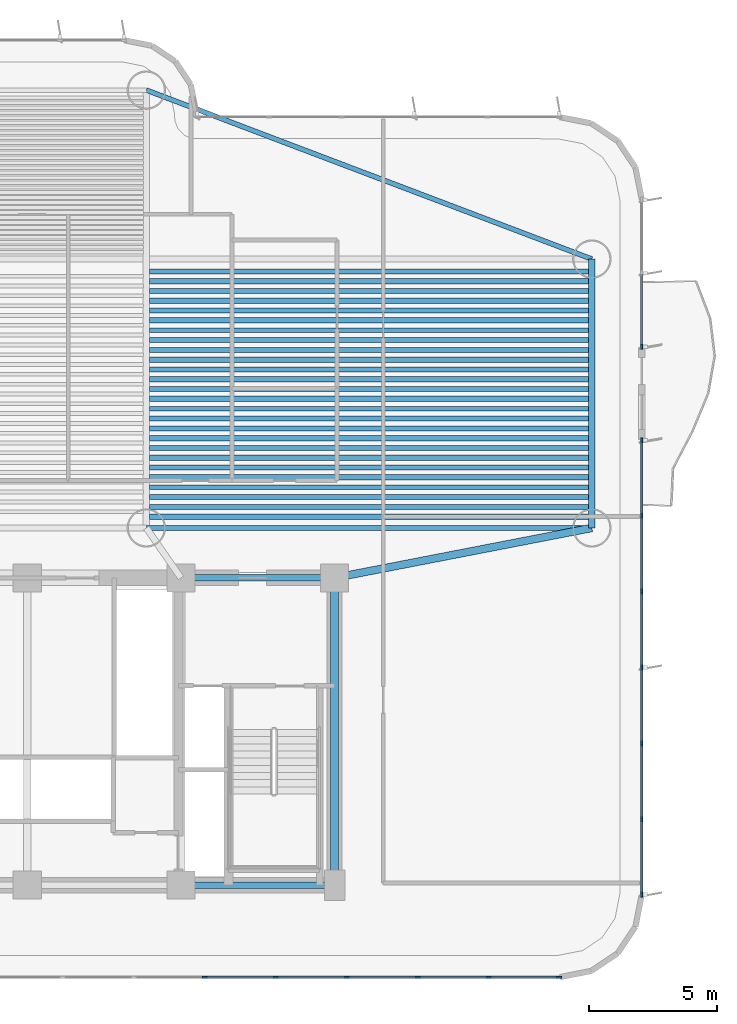
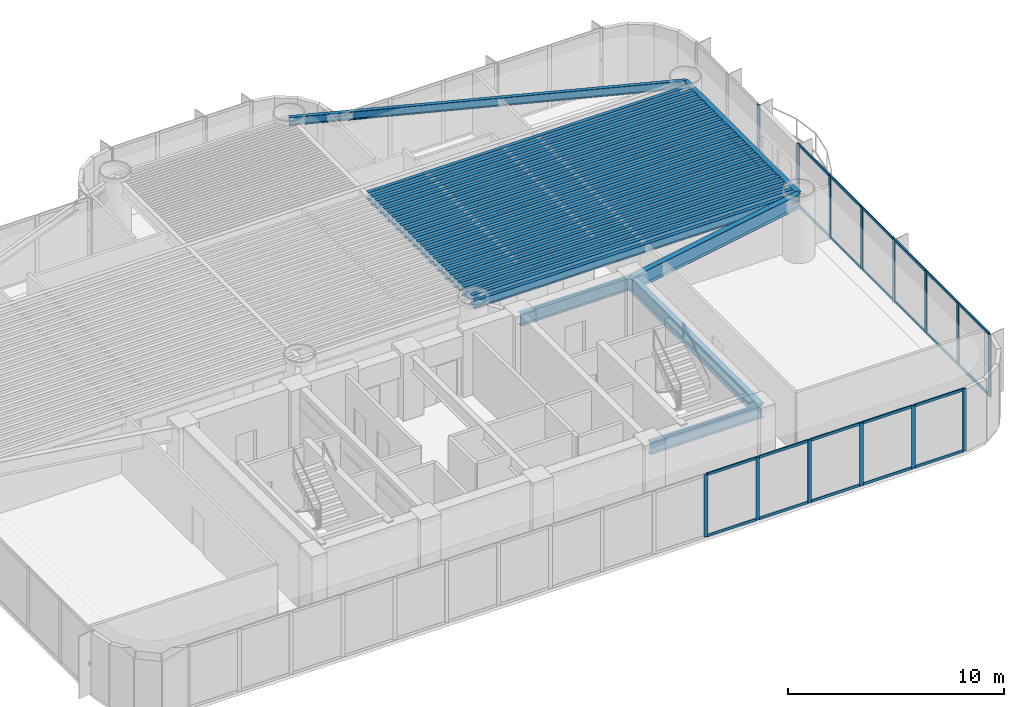
# One storey, part 5 of 16: 37 members, 33 beams, 3 elements without a shape of their own.
"""IFC4 building model written with IfcOpenShell, lengths in metres."""

from ifc_helpers import new_model, si_unit, direction, frame, origin, origin_2d, place, context, subcontext, project, spatial, rectangle, i_section, extrude, source, transform, mapped, material, layer, layer_set, material_profile, profile_set, type_object, element, aggregate, save


model = new_model("IFC4")

# Units and contexts
model_context = context("Model", 3, precision=1e-05, world=origin(), true_north=direction((0.0, 1.0)))
body_context = subcontext(model_context, "Body", "Model", "MODEL_VIEW")
ifc_project = project(units=[si_unit("LENGTHUNIT", "METRE"), si_unit("AREAUNIT", "SQUARE_METRE"), si_unit("VOLUMEUNIT", "CUBIC_METRE"), si_unit("PLANEANGLEUNIT", "RADIAN"), si_unit("MASSUNIT", "GRAM", prefix="KILO")], contexts=[model_context])

# Site, building, storey
site_placement = place(None, origin())
site = spatial("IfcSite", under=ifc_project, at=site_placement, CompositionType="ELEMENT")
building_placement = place(site_placement, origin())
building = spatial("IfcBuilding", under=site, at=building_placement, Name="Brelvock Crest Care Tower", CompositionType="ELEMENT")
storey_placement = place(building_placement, frame((0.0, 0.0, 57.239990234375)))
storey = spatial("IfcBuildingStorey", under=building, at=storey_placement, Name="L14", CompositionType="ELEMENT", Elevation=57.239990234375)

# Beams
ifc_material_1 = material(Name="Steel Grade 350", Category="steel")
ifc_material_profile_1 = material_profile(ifc_material_1, i_section(OverallWidth=0.25, OverallDepth=0.699951171875, WebThickness=0.011962890625, FlangeThickness=0.02001953125, at=origin_2d()), Name="700WB150")
ifc_profile_set_1 = profile_set([ifc_material_profile_1], Name="Steel Grade 350")
beam_type_1 = type_object("IfcBeamType", Name="BM-G4", PredefinedType="BEAM", material=ifc_profile_set_1)
shared_shape_1 = source(origin(), body_context, "Body", "SweptSolid", [
    extrude(i_section(OverallWidth=0.25, OverallDepth=0.699951171875, WebThickness=0.011962890625, FlangeThickness=0.02001953125, at=origin_2d()), origin(), (0.0, 0.0, 1.0), 6.0),
])
for number, where, z_axis, x_axis, name in (
    (1, (42.0, 6.0, 3.179931640625), (1.0, 0.0, 0.0), (0.0, 1.0, 0.0), "BM-CORES-L14-4"),
    (2, (42.0, 18.0, 3.179931640625), (1.0, 0.0, 0.0), (0.0, 1.0, 0.0), "BM-COREN-L14-4"),
):
    element("IfcBeam", number, at=place(storey_placement, frame(where, z_axis=z_axis, x_axis=x_axis)), inside=storey, type_object=beam_type_1, Name=name, PredefinedType="BEAM", context=body_context, shape_type="MappedRepresentation", body=[
        mapped(shared_shape_1, transform((0.0, 0.0, 0.0), x_axis=(1.0, 0.0, 0.0), y_axis=(0.0, 1.0, 0.0), z_axis=(0.0, 0.0, 1.0), scale=1.0)),
    ])
ifc_material_profile_2 = material_profile(ifc_material_1, i_section(OverallWidth=0.300048828125, OverallDepth=0.800048828125, WebThickness=0.013916015625, FlangeThickness=0.02197265625, at=origin_2d()), Name="800WB192")
ifc_profile_set_2 = profile_set([ifc_material_profile_2], Name="Steel Grade 350")
beam_type_2 = type_object("IfcBeamType", Name="BM-G5", PredefinedType="BEAM", material=ifc_profile_set_2)
shared_shape_2 = source(origin(), body_context, "Body", "SweptSolid", [
    extrude(i_section(OverallWidth=0.300048828125, OverallDepth=0.800048828125, WebThickness=0.013916015625, FlangeThickness=0.02197265625, at=origin_2d()), origin(), (0.0, 0.0, 1.0), 12.0),
])
beam_1_placement = place(storey_placement, frame((48.0, 6.0, 3.130126953125), z_axis=(0.0, 1.0, 0.0), x_axis=(-1.0, 0.0, 0.0)))
element("IfcBeam", 3, at=beam_1_placement, inside=storey, type_object=beam_type_2, Name="BM-COREX-L14-5", PredefinedType="BEAM", context=body_context, shape_type="MappedRepresentation", body=[
    mapped(shared_shape_2, transform((0.0, 0.0, 0.0), x_axis=(1.0, 0.0, 0.0), y_axis=(0.0, 1.0, 0.0), z_axis=(0.0, 0.0, 1.0), scale=1.0)),
])
shared_shape_3 = source(origin(), body_context, "Body", "SweptSolid", [
    extrude(i_section(OverallWidth=0.25, OverallDepth=0.699951171875, WebThickness=0.011962890625, FlangeThickness=0.02001953125, at=origin_2d()), origin(), (0.0, 0.0, 1.0), 10.5),
])
beam_2_placement = place(storey_placement, frame((58.050048828125, 19.949951171875, 3.179931640625), z_axis=(0.0, 1.0, 0.0), x_axis=(-1.0, 0.0, 0.0)))
element("IfcBeam", 4, at=beam_2_placement, inside=storey, type_object=beam_type_1, Name="BM-TWR-L14-02", PredefinedType="BEAM", context=body_context, shape_type="MappedRepresentation", body=[
    mapped(shared_shape_3, transform((0.0, 0.0, 0.0), x_axis=(1.0, 0.0, 0.0), y_axis=(0.0, 1.0, 0.0), z_axis=(0.0, 0.0, 1.0), scale=1.0)),
])
ifc_material_profile_3 = material_profile(ifc_material_1, i_section(OverallWidth=0.19091796875, OverallDepth=0.4599609375, WebThickness=0.010009765625, FlangeThickness=0.01611328125, FilletRadius=0.011474609375, at=origin_2d()), Name="460UB82.1")
ifc_profile_set_3 = profile_set([ifc_material_profile_3], Name="Steel Grade 350")
beam_type_3 = type_object("IfcBeamType", Name="BM-SP2", PredefinedType="SPANDREL", material=ifc_profile_set_3)
shared_shape_4 = source(origin(), body_context, "Body", "SweptSolid", [
    extrude(i_section(OverallWidth=0.19091796875, OverallDepth=0.4599609375, WebThickness=0.010009765625, FlangeThickness=0.01611328125, FilletRadius=0.011474609375, at=origin_2d()), origin(), (0.0, 0.0, 1.0), 17.400146484375),
])
beam_3_placement = place(storey_placement, frame((40.64990234375, 19.949951171875, 3.300048828125), z_axis=(1.0, 0.0, 0.0), x_axis=(0.0, 1.0, 0.0)))
element("IfcBeam", 5, at=beam_3_placement, inside=storey, type_object=beam_type_3, Name="BM-TWR-L14-04", PredefinedType="SPANDREL", context=body_context, shape_type="MappedRepresentation", body=[
    mapped(shared_shape_4, transform((0.0, 0.0, 0.0), x_axis=(1.0, 0.0, 0.0), y_axis=(0.0, 1.0, 0.0), z_axis=(0.0, 0.0, 1.0), scale=1.0)),
])
shared_shape_5 = source(origin(), body_context, "Body", "SweptSolid", [
    extrude(i_section(OverallWidth=0.19091796875, OverallDepth=0.4599609375, WebThickness=0.010009765625, FlangeThickness=0.01611328125, FilletRadius=0.011474609375, at=origin_2d()), origin(), (0.0, 0.0, 1.0), 18.60986328125),
])
beam_4_placement = place(storey_placement, frame((40.64990234375, 37.050048828125, 3.300048828125), z_axis=(0.934996776275, -0.3546562115, 0.0), x_axis=(0.3546562115, 0.934996776275, 0.0)))
element("IfcBeam", 6, at=beam_4_placement, inside=storey, type_object=beam_type_3, Name="BM-TWR-L14-07", PredefinedType="SPANDREL", context=body_context, shape_type="MappedRepresentation", body=[
    mapped(shared_shape_5, transform((0.0, 0.0, 0.0), x_axis=(1.0, 0.0, 0.0), y_axis=(0.0, 1.0, 0.0), z_axis=(0.0, 0.0, 1.0), scale=1.0)),
])
shared_shape_6 = source(origin(), body_context, "Body", "SweptSolid", [
    extrude(i_section(OverallWidth=0.300048828125, OverallDepth=0.800048828125, WebThickness=0.013916015625, FlangeThickness=0.02197265625, at=origin_2d()), origin(), (0.0, 0.0, 1.0), 10.237548828125),
])
beam_5_placement = place(storey_placement, frame((48.0, 18.0, 3.130126953125), z_axis=(0.981692632568, 0.190471979991, 0.0), x_axis=(-0.190471979991, 0.981692632568, 0.0)))
element("IfcBeam", 7, at=beam_5_placement, inside=storey, type_object=beam_type_2, Name="BM-THRO-E-L14", PredefinedType="BEAM", context=body_context, shape_type="MappedRepresentation", body=[
    mapped(shared_shape_6, transform((0.0, 0.0, 0.0), x_axis=(1.0, 0.0, 0.0), y_axis=(0.0, 1.0, 0.0), z_axis=(0.0, 0.0, 1.0), scale=1.0)),
])
ifc_material_profile_4 = material_profile(ifc_material_1, i_section(OverallWidth=0.208984375, OverallDepth=0.532958984375, WebThickness=0.01025390625, FlangeThickness=0.015625, FilletRadius=0.013916015625, at=origin_2d()), Name="530UB92.4")
ifc_profile_set_4 = profile_set([ifc_material_profile_4], Name="Steel Grade 350")
beam_type_4 = type_object("IfcBeamType", Name="BM-G2", PredefinedType="BEAM", material=ifc_profile_set_4)
shared_shape_7 = source(origin(), body_context, "Body", "SweptSolid", [
    extrude(i_section(OverallWidth=0.208984375, OverallDepth=0.532958984375, WebThickness=0.01025390625, FlangeThickness=0.015625, FilletRadius=0.013916015625, at=origin_2d()), origin(), (0.0, 0.0, 1.0), 17.170166015625),
])
for number, where, z_axis, x_axis, name in (
    (8, (40.764892578125, 20.39111328125, 3.263427734375), (1.0, 0.0, 0.0), (0.0, 1.0, 0.0), "BM-JE-L14-1"),
    (9, (40.764892578125, 21.157470703125, 3.263427734375), (1.0, 0.0, 0.0), (0.0, 1.0, 0.0), "BM-JE-L14-3"),
    (10, (40.764892578125, 21.924072265625, 3.263427734375), (1.0, 0.0, 0.0), (0.0, 1.0, 0.0), "BM-JE-L14-5"),
    (11, (40.764892578125, 22.6904296875, 3.263427734375), (1.0, 0.0, 0.0), (0.0, 1.0, 0.0), "BM-JE-L14-7"),
    (12, (40.764892578125, 23.45703125, 3.263427734375), (1.0, 0.0, 0.0), (0.0, 1.0, 0.0), "BM-JE-L14-9"),
    (13, (40.764892578125, 24.223388671875, 3.263427734375), (1.0, 0.0, 0.0), (0.0, 1.0, 0.0), "BM-JE-L14-11"),
    (14, (40.764892578125, 24.989990234375, 3.263427734375), (1.0, 0.0, 0.0), (0.0, 1.0, 0.0), "BM-JE-L14-13"),
    (15, (40.764892578125, 25.756591796875, 3.263427734375), (1.0, 0.0, 0.0), (0.0, 1.0, 0.0), "BM-JE-L14-15"),
    (16, (40.764892578125, 26.52294921875, 3.263427734375), (1.0, 0.0, 0.0), (0.0, 1.0, 0.0), "BM-JE-L14-17"),
    (17, (40.764892578125, 27.28955078125, 3.263427734375), (1.0, 0.0, 0.0), (0.0, 1.0, 0.0), "BM-JE-L14-19"),
    (18, (40.764892578125, 28.055908203125, 3.263427734375), (1.0, 0.0, 0.0), (0.0, 1.0, 0.0), "BM-JE-L14-21"),
    (19, (40.764892578125, 28.822509765625, 3.263427734375), (1.0, 0.0, 0.0), (0.0, 1.0, 0.0), "BM-JE-L14-23"),
    (20, (40.764892578125, 29.589111328125, 3.263427734375), (1.0, 0.0, 0.0), (0.0, 1.0, 0.0), "BM-JE-L14-25"),
):
    element("IfcBeam", number, at=place(storey_placement, frame(where, z_axis=z_axis, x_axis=x_axis)), inside=storey, type_object=beam_type_4, Name=name, PredefinedType="BEAM", context=body_context, shape_type="MappedRepresentation", body=[
        mapped(shared_shape_7, transform((0.0, 0.0, 0.0), x_axis=(1.0, 0.0, 0.0), y_axis=(0.0, 1.0, 0.0), z_axis=(0.0, 0.0, 1.0), scale=1.0)),
    ])
ifc_material_profile_5 = material_profile(ifc_material_1, i_section(OverallWidth=0.19091796875, OverallDepth=0.4599609375, WebThickness=0.010009765625, FlangeThickness=0.01611328125, FilletRadius=0.011474609375, at=origin_2d()), Name="460UB82.1")
ifc_profile_set_5 = profile_set([ifc_material_profile_5], Name="Steel Grade 350")
beam_type_5 = type_object("IfcBeamType", Name="BM-G3", PredefinedType="BEAM", material=ifc_profile_set_5)
shared_shape_8 = source(origin(), body_context, "Body", "SweptSolid", [
    extrude(i_section(OverallWidth=0.19091796875, OverallDepth=0.4599609375, WebThickness=0.010009765625, FlangeThickness=0.01611328125, FilletRadius=0.011474609375, at=origin_2d()), origin(), (0.0, 0.0, 1.0), 17.170166015625),
])
for number, where, z_axis, x_axis, name in (
    (21, (40.764892578125, 20.774169921875, 3.300048828125), (1.0, 0.0, 0.0), (0.0, 1.0, 0.0), "BM-JE-L14-2"),
    (22, (40.764892578125, 21.540771484375, 3.300048828125), (1.0, 0.0, 0.0), (0.0, 1.0, 0.0), "BM-JE-L14-4"),
    (23, (40.764892578125, 22.30712890625, 3.300048828125), (1.0, 0.0, 0.0), (0.0, 1.0, 0.0), "BM-JE-L14-6"),
    (24, (40.764892578125, 23.07373046875, 3.300048828125), (1.0, 0.0, 0.0), (0.0, 1.0, 0.0), "BM-JE-L14-8"),
    (25, (40.764892578125, 23.840087890625, 3.300048828125), (1.0, 0.0, 0.0), (0.0, 1.0, 0.0), "BM-JE-L14-10"),
    (26, (40.764892578125, 24.606689453125, 3.300048828125), (1.0, 0.0, 0.0), (0.0, 1.0, 0.0), "BM-JE-L14-12"),
    (27, (40.764892578125, 25.373291015625, 3.300048828125), (1.0, 0.0, 0.0), (0.0, 1.0, 0.0), "BM-JE-L14-14"),
    (28, (40.764892578125, 26.1396484375, 3.300048828125), (1.0, 0.0, 0.0), (0.0, 1.0, 0.0), "BM-JE-L14-16"),
    (29, (40.764892578125, 26.90625, 3.300048828125), (1.0, 0.0, 0.0), (0.0, 1.0, 0.0), "BM-JE-L14-18"),
    (30, (40.764892578125, 27.6728515625, 3.300048828125), (1.0, 0.0, 0.0), (0.0, 1.0, 0.0), "BM-JE-L14-20"),
    (31, (40.764892578125, 28.439208984375, 3.300048828125), (1.0, 0.0, 0.0), (0.0, 1.0, 0.0), "BM-JE-L14-22"),
    (32, (40.764892578125, 29.205810546875, 3.300048828125), (1.0, 0.0, 0.0), (0.0, 1.0, 0.0), "BM-JE-L14-24"),
    (33, (40.764892578125, 29.97216796875, 3.300048828125), (1.0, 0.0, 0.0), (0.0, 1.0, 0.0), "BM-JE-L14-26"),
):
    element("IfcBeam", number, at=place(storey_placement, frame(where, z_axis=z_axis, x_axis=x_axis)), inside=storey, type_object=beam_type_5, Name=name, PredefinedType="BEAM", context=body_context, shape_type="MappedRepresentation", body=[
        mapped(shared_shape_8, transform((0.0, 0.0, 0.0), x_axis=(1.0, 0.0, 0.0), y_axis=(0.0, 1.0, 0.0), z_axis=(0.0, 0.0, 1.0), scale=1.0)),
    ])

# Curtain wall, member
ifc_material_2 = material(Name="Dark Glass Double Glazed Low-E", Category="glass")
ifc_layer = layer(ifc_material_2, 0.195068359375, Name="CWS-2")
ifc_layer_set = layer_set([ifc_layer], Name="Dark Glass Double Glazed Low-E")
curtain_wall_type = type_object("IfcCurtainWallType", Name="CWS-2", PredefinedType="NOTDEFINED", material=ifc_layer_set)
curtain_wall_1_placement = place(storey_placement, origin())
curtain_wall_1 = element("IfcCurtainWall", 34, at=curtain_wall_1_placement, inside=storey, type_object=curtain_wall_type, Name="L14 Curtain Wall E03A", PredefinedType="NOTDEFINED")
ifc_material_3 = material(Name="Aluminium 6063-T6", Category="aluminium")
ifc_material_profile_6 = material_profile(ifc_material_3, rectangle(XDim=0.06494140625, YDim=0.199951171875, at=origin_2d()), Name="ALU65x200")
ifc_profile_set_6 = profile_set([ifc_material_profile_6], Name="Aluminium 6063-T6")
member_type_1 = type_object("IfcMemberType", Name="CWM-1", PredefinedType="MULLION", material=ifc_profile_set_6)
shared_shape_9 = source(origin(), body_context, "Body", "SweptSolid", [
    extrude(rectangle(XDim=0.06494140625, YDim=0.199951171875, at=origin_2d()), origin(), (0.0, 0.0, 1.0), 3.530029296875),
])
member_1_placement = place(storey_placement, frame((60.0, 27.032470703125, 0.0), z_axis=(0.0, 0.0, 1.0), x_axis=(1.0, 0.0, 0.0)))
member_1 = element("IfcMember", 35, at=member_1_placement, type_object=member_type_1, Name="CW-2 mullion 3", PredefinedType="MULLION", context=body_context, shape_type="MappedRepresentation", body=[
    mapped(shared_shape_9, transform((0.0, 0.0, 0.0), x_axis=(1.0, 0.0, 0.0), y_axis=(0.0, 1.0, 0.0), z_axis=(0.0, 0.0, 1.0), scale=1.0)),
])

# Curtain wall, members
curtain_wall_2_placement = place(storey_placement, origin())
curtain_wall_2 = element("IfcCurtainWall", 36, at=curtain_wall_2_placement, inside=storey, type_object=curtain_wall_type, Name="L14 Curtain Wall E03B", PredefinedType="NOTDEFINED")
member_2_placement = place(storey_placement, frame((60.0, 23.367431640625, 0.0), z_axis=(0.0, 0.0, 1.0), x_axis=(1.0, 0.0, 0.0)))
member_2 = element("IfcMember", 37, at=member_2_placement, type_object=member_type_1, Name="CW-2 mullion 1", PredefinedType="MULLION", context=body_context, shape_type="MappedRepresentation", body=[
    mapped(shared_shape_9, transform((0.0, 0.0, 0.0), x_axis=(1.0, 0.0, 0.0), y_axis=(0.0, 1.0, 0.0), z_axis=(0.0, 0.0, 1.0), scale=1.0)),
])
member_3_placement = place(storey_placement, frame((60.0, 20.433349609375, 0.0), z_axis=(0.0, 0.0, 1.0), x_axis=(1.0, 0.0, 0.0)))
member_3 = element("IfcMember", 38, at=member_3_placement, type_object=member_type_1, Name="CW-2 mullion 2", PredefinedType="MULLION", context=body_context, shape_type="MappedRepresentation", body=[
    mapped(shared_shape_9, transform((0.0, 0.0, 0.0), x_axis=(1.0, 0.0, 0.0), y_axis=(0.0, 1.0, 0.0), z_axis=(0.0, 0.0, 1.0), scale=1.0)),
])
member_4_placement = place(storey_placement, frame((60.0, 17.466552734375, 0.0), z_axis=(0.0, 0.0, 1.0), x_axis=(1.0, 0.0, 0.0)))
member_4 = element("IfcMember", 39, at=member_4_placement, type_object=member_type_1, Name="CW-2 mullion 3", PredefinedType="MULLION", context=body_context, shape_type="MappedRepresentation", body=[
    mapped(shared_shape_9, transform((0.0, 0.0, 0.0), x_axis=(1.0, 0.0, 0.0), y_axis=(0.0, 1.0, 0.0), z_axis=(0.0, 0.0, 1.0), scale=1.0)),
])
member_5_placement = place(storey_placement, frame((60.0, 14.5, 0.0), z_axis=(0.0, 0.0, 1.0), x_axis=(1.0, 0.0, 0.0)))
member_5 = element("IfcMember", 40, at=member_5_placement, type_object=member_type_1, Name="CW-2 mullion 4", PredefinedType="MULLION", context=body_context, shape_type="MappedRepresentation", body=[
    mapped(shared_shape_9, transform((0.0, 0.0, 0.0), x_axis=(1.0, 0.0, 0.0), y_axis=(0.0, 1.0, 0.0), z_axis=(0.0, 0.0, 1.0), scale=1.0)),
])
member_6_placement = place(storey_placement, frame((60.0, 11.533447265625, 0.0), z_axis=(0.0, 0.0, 1.0), x_axis=(1.0, 0.0, 0.0)))
member_6 = element("IfcMember", 41, at=member_6_placement, type_object=member_type_1, Name="CW-2 mullion 5", PredefinedType="MULLION", context=body_context, shape_type="MappedRepresentation", body=[
    mapped(shared_shape_9, transform((0.0, 0.0, 0.0), x_axis=(1.0, 0.0, 0.0), y_axis=(0.0, 1.0, 0.0), z_axis=(0.0, 0.0, 1.0), scale=1.0)),
])
member_7_placement = place(storey_placement, frame((60.0, 8.566650390625, 0.0), z_axis=(0.0, 0.0, 1.0), x_axis=(1.0, 0.0, 0.0)))
member_7 = element("IfcMember", 42, at=member_7_placement, type_object=member_type_1, Name="CW-2 mullion 6", PredefinedType="MULLION", context=body_context, shape_type="MappedRepresentation", body=[
    mapped(shared_shape_9, transform((0.0, 0.0, 0.0), x_axis=(1.0, 0.0, 0.0), y_axis=(0.0, 1.0, 0.0), z_axis=(0.0, 0.0, 1.0), scale=1.0)),
])
member_8_placement = place(storey_placement, frame((60.0, 5.632568359375, 0.0), z_axis=(0.0, 0.0, 1.0), x_axis=(1.0, 0.0, 0.0)))
member_8 = element("IfcMember", 43, at=member_8_placement, type_object=member_type_1, Name="CW-2 mullion 7", PredefinedType="MULLION", context=body_context, shape_type="MappedRepresentation", body=[
    mapped(shared_shape_9, transform((0.0, 0.0, 0.0), x_axis=(1.0, 0.0, 0.0), y_axis=(0.0, 1.0, 0.0), z_axis=(0.0, 0.0, 1.0), scale=1.0)),
])

curtain_wall_3_placement = place(storey_placement, origin())
curtain_wall_3 = element("IfcCurtainWall", 44, at=curtain_wall_3_placement, inside=storey, type_object=curtain_wall_type, Name="L14 Curtain Wall E08", PredefinedType="NOTDEFINED")
member_9_placement = place(storey_placement, frame((56.767578125, 2.39990234375, 0.0), z_axis=(0.0, 0.0, 1.0), x_axis=(0.0, -1.0, 0.0)))
member_9 = element("IfcMember", 45, at=member_9_placement, type_object=member_type_1, Name="CW-2 mullion 1", PredefinedType="MULLION", context=body_context, shape_type="MappedRepresentation", body=[
    mapped(shared_shape_9, transform((0.0, 0.0, 0.0), x_axis=(1.0, 0.0, 0.0), y_axis=(0.0, 1.0, 0.0), z_axis=(0.0, 0.0, 1.0), scale=1.0)),
])
member_10_placement = place(storey_placement, frame((54.026611328125, 2.39990234375, 0.0), z_axis=(0.0, 0.0, 1.0), x_axis=(0.0, -1.0, 0.0)))
member_10 = element("IfcMember", 46, at=member_10_placement, type_object=member_type_1, Name="CW-2 mullion 2", PredefinedType="MULLION", context=body_context, shape_type="MappedRepresentation", body=[
    mapped(shared_shape_9, transform((0.0, 0.0, 0.0), x_axis=(1.0, 0.0, 0.0), y_axis=(0.0, 1.0, 0.0), z_axis=(0.0, 0.0, 1.0), scale=1.0)),
])
member_11_placement = place(storey_placement, frame((51.25341796875, 2.39990234375, 0.0), z_axis=(0.0, 0.0, 1.0), x_axis=(0.0, -1.0, 0.0)))
member_11 = element("IfcMember", 47, at=member_11_placement, type_object=member_type_1, Name="CW-2 mullion 3", PredefinedType="MULLION", context=body_context, shape_type="MappedRepresentation", body=[
    mapped(shared_shape_9, transform((0.0, 0.0, 0.0), x_axis=(1.0, 0.0, 0.0), y_axis=(0.0, 1.0, 0.0), z_axis=(0.0, 0.0, 1.0), scale=1.0)),
])
member_12_placement = place(storey_placement, frame((48.47998046875, 2.39990234375, 0.0), z_axis=(0.0, 0.0, 1.0), x_axis=(0.0, -1.0, 0.0)))
member_12 = element("IfcMember", 48, at=member_12_placement, type_object=member_type_1, Name="CW-2 mullion 4", PredefinedType="MULLION", context=body_context, shape_type="MappedRepresentation", body=[
    mapped(shared_shape_9, transform((0.0, 0.0, 0.0), x_axis=(1.0, 0.0, 0.0), y_axis=(0.0, 1.0, 0.0), z_axis=(0.0, 0.0, 1.0), scale=1.0)),
])
member_13_placement = place(storey_placement, frame((45.706787109375, 2.39990234375, 0.0), z_axis=(0.0, 0.0, 1.0), x_axis=(0.0, -1.0, 0.0)))
member_13 = element("IfcMember", 49, at=member_13_placement, type_object=member_type_1, Name="CW-2 mullion 5", PredefinedType="MULLION", context=body_context, shape_type="MappedRepresentation", body=[
    mapped(shared_shape_9, transform((0.0, 0.0, 0.0), x_axis=(1.0, 0.0, 0.0), y_axis=(0.0, 1.0, 0.0), z_axis=(0.0, 0.0, 1.0), scale=1.0)),
])
member_14_placement = place(storey_placement, frame((42.933349609375, 2.39990234375, 0.0), z_axis=(0.0, 0.0, 1.0), x_axis=(0.0, -1.0, 0.0)))
member_14 = element("IfcMember", 50, at=member_14_placement, type_object=member_type_1, Name="CW-2 mullion 6", PredefinedType="MULLION", context=body_context, shape_type="MappedRepresentation", body=[
    mapped(shared_shape_9, transform((0.0, 0.0, 0.0), x_axis=(1.0, 0.0, 0.0), y_axis=(0.0, 1.0, 0.0), z_axis=(0.0, 0.0, 1.0), scale=1.0)),
])
ifc_material_profile_7 = material_profile(ifc_material_3, rectangle(XDim=0.06494140625, YDim=0.14990234375, at=origin_2d()), Name="ALU65x150")
ifc_profile_set_7 = profile_set([ifc_material_profile_7], Name="Aluminium 6063-T6")
member_type_2 = type_object("IfcMemberType", Name="CWT-1", PredefinedType="USERDEFINED", material=ifc_profile_set_7)
shared_shape_10 = source(origin(), body_context, "Body", "SweptSolid", [
    extrude(rectangle(XDim=0.06494140625, YDim=0.14990234375, at=origin_2d()), origin(), (0.0, 0.0, 1.0), 2.676025390625),
])
member_15_placement = place(storey_placement, frame((56.735107421875, 2.39990234375, 0.032470703125), z_axis=(-1.0, 0.0, 0.0), x_axis=(0.0, -1.0, 0.0)))
member_15 = element("IfcMember", 51, at=member_15_placement, type_object=member_type_2, Name="CW-2 transom 1.1", ObjectType="TRANSOM", PredefinedType="USERDEFINED", context=body_context, shape_type="MappedRepresentation", body=[
    mapped(shared_shape_10, transform((0.0, 0.0, 0.0), x_axis=(1.0, 0.0, 0.0), y_axis=(0.0, 1.0, 0.0), z_axis=(0.0, 0.0, 1.0), scale=1.0)),
])
member_16_placement = place(storey_placement, frame((56.735107421875, 2.39990234375, 3.49755859375), z_axis=(-1.0, 0.0, 0.0), x_axis=(0.0, -1.0, 0.0)))
member_16 = element("IfcMember", 52, at=member_16_placement, type_object=member_type_2, Name="CW-2 transom 1.2", ObjectType="TRANSOM", PredefinedType="USERDEFINED", context=body_context, shape_type="MappedRepresentation", body=[
    mapped(shared_shape_10, transform((0.0, 0.0, 0.0), x_axis=(1.0, 0.0, 0.0), y_axis=(0.0, 1.0, 0.0), z_axis=(0.0, 0.0, 1.0), scale=1.0)),
])
shared_shape_11 = source(origin(), body_context, "Body", "SweptSolid", [
    extrude(rectangle(XDim=0.06494140625, YDim=0.14990234375, at=origin_2d()), origin(), (0.0, 0.0, 1.0), 2.708251953125),
])
member_17_placement = place(storey_placement, frame((53.994140625, 2.39990234375, 0.032470703125), z_axis=(-1.0, 0.0, 0.0), x_axis=(0.0, -1.0, 0.0)))
member_17 = element("IfcMember", 53, at=member_17_placement, type_object=member_type_2, Name="CW-2 transom 2.1", ObjectType="TRANSOM", PredefinedType="USERDEFINED", context=body_context, shape_type="MappedRepresentation", body=[
    mapped(shared_shape_11, transform((0.0, 0.0, 0.0), x_axis=(1.0, 0.0, 0.0), y_axis=(0.0, 1.0, 0.0), z_axis=(0.0, 0.0, 1.0), scale=1.0)),
])
member_18_placement = place(storey_placement, frame((53.994140625, 2.39990234375, 3.49755859375), z_axis=(-1.0, 0.0, 0.0), x_axis=(0.0, -1.0, 0.0)))
member_18 = element("IfcMember", 54, at=member_18_placement, type_object=member_type_2, Name="CW-2 transom 2.2", ObjectType="TRANSOM", PredefinedType="USERDEFINED", context=body_context, shape_type="MappedRepresentation", body=[
    mapped(shared_shape_11, transform((0.0, 0.0, 0.0), x_axis=(1.0, 0.0, 0.0), y_axis=(0.0, 1.0, 0.0), z_axis=(0.0, 0.0, 1.0), scale=1.0)),
])
member_19_placement = place(storey_placement, frame((48.447509765625, 2.39990234375, 0.032470703125), z_axis=(-1.0, 0.0, 0.0), x_axis=(0.0, -1.0, 0.0)))
member_19 = element("IfcMember", 55, at=member_19_placement, type_object=member_type_2, Name="CW-2 transom 4.1", ObjectType="TRANSOM", PredefinedType="USERDEFINED", context=body_context, shape_type="MappedRepresentation", body=[
    mapped(shared_shape_11, transform((0.0, 0.0, 0.0), x_axis=(1.0, 0.0, 0.0), y_axis=(0.0, 1.0, 0.0), z_axis=(0.0, 0.0, 1.0), scale=1.0)),
])
member_20_placement = place(storey_placement, frame((48.447509765625, 2.39990234375, 3.49755859375), z_axis=(-1.0, 0.0, 0.0), x_axis=(0.0, -1.0, 0.0)))
member_20 = element("IfcMember", 56, at=member_20_placement, type_object=member_type_2, Name="CW-2 transom 4.2", ObjectType="TRANSOM", PredefinedType="USERDEFINED", context=body_context, shape_type="MappedRepresentation", body=[
    mapped(shared_shape_11, transform((0.0, 0.0, 0.0), x_axis=(1.0, 0.0, 0.0), y_axis=(0.0, 1.0, 0.0), z_axis=(0.0, 0.0, 1.0), scale=1.0)),
])
member_21_placement = place(storey_placement, frame((45.674072265625, 2.39990234375, 0.032470703125), z_axis=(-1.0, 0.0, 0.0), x_axis=(0.0, -1.0, 0.0)))
member_21 = element("IfcMember", 57, at=member_21_placement, type_object=member_type_2, Name="CW-2 transom 5.1", ObjectType="TRANSOM", PredefinedType="USERDEFINED", context=body_context, shape_type="MappedRepresentation", body=[
    mapped(shared_shape_11, transform((0.0, 0.0, 0.0), x_axis=(1.0, 0.0, 0.0), y_axis=(0.0, 1.0, 0.0), z_axis=(0.0, 0.0, 1.0), scale=1.0)),
])
member_22_placement = place(storey_placement, frame((45.674072265625, 2.39990234375, 3.49755859375), z_axis=(-1.0, 0.0, 0.0), x_axis=(0.0, -1.0, 0.0)))
member_22 = element("IfcMember", 58, at=member_22_placement, type_object=member_type_2, Name="CW-2 transom 5.2", ObjectType="TRANSOM", PredefinedType="USERDEFINED", context=body_context, shape_type="MappedRepresentation", body=[
    mapped(shared_shape_11, transform((0.0, 0.0, 0.0), x_axis=(1.0, 0.0, 0.0), y_axis=(0.0, 1.0, 0.0), z_axis=(0.0, 0.0, 1.0), scale=1.0)),
])
shared_shape_12 = source(origin(), body_context, "Body", "SweptSolid", [
    extrude(rectangle(XDim=0.06494140625, YDim=0.14990234375, at=origin_2d()), origin(), (0.0, 0.0, 1.0), 2.70849609375),
])
member_23_placement = place(storey_placement, frame((51.220947265625, 2.39990234375, 0.032470703125), z_axis=(-1.0, 0.0, 0.0), x_axis=(0.0, -1.0, 0.0)))
member_23 = element("IfcMember", 59, at=member_23_placement, type_object=member_type_2, Name="CW-2 transom 3.1", ObjectType="TRANSOM", PredefinedType="USERDEFINED", context=body_context, shape_type="MappedRepresentation", body=[
    mapped(shared_shape_12, transform((0.0, 0.0, 0.0), x_axis=(1.0, 0.0, 0.0), y_axis=(0.0, 1.0, 0.0), z_axis=(0.0, 0.0, 1.0), scale=1.0)),
])
member_24_placement = place(storey_placement, frame((51.220947265625, 2.39990234375, 3.49755859375), z_axis=(-1.0, 0.0, 0.0), x_axis=(0.0, -1.0, 0.0)))
member_24 = element("IfcMember", 60, at=member_24_placement, type_object=member_type_2, Name="CW-2 transom 3.2", ObjectType="TRANSOM", PredefinedType="USERDEFINED", context=body_context, shape_type="MappedRepresentation", body=[
    mapped(shared_shape_12, transform((0.0, 0.0, 0.0), x_axis=(1.0, 0.0, 0.0), y_axis=(0.0, 1.0, 0.0), z_axis=(0.0, 0.0, 1.0), scale=1.0)),
])
aggregate(curtain_wall_3, [member_9, member_10, member_11, member_12, member_13, member_14, member_15, member_16, member_17, member_18, member_23, member_24, member_19, member_20, member_21, member_22])

# Member
shared_shape_13 = source(origin(), body_context, "Body", "SweptSolid", [
    extrude(rectangle(XDim=0.06494140625, YDim=0.14990234375, at=origin_2d()), origin(), (0.0, 0.0, 1.0), 2.802490234375),
])
member_25_placement = place(storey_placement, frame((60.0, 29.867431640625, 0.032470703125), z_axis=(0.0, -1.0, 0.0), x_axis=(1.0, 0.0, 0.0)))
member_25 = element("IfcMember", 61, at=member_25_placement, type_object=member_type_2, Name="CW-2 transom 2.1", ObjectType="TRANSOM", PredefinedType="USERDEFINED", context=body_context, shape_type="MappedRepresentation", body=[
    mapped(shared_shape_13, transform((0.0, 0.0, 0.0), x_axis=(1.0, 0.0, 0.0), y_axis=(0.0, 1.0, 0.0), z_axis=(0.0, 0.0, 1.0), scale=1.0)),
])

aggregate(curtain_wall_1, [member_1, member_25])

shared_shape_14 = source(origin(), body_context, "Body", "SweptSolid", [
    extrude(rectangle(XDim=0.06494140625, YDim=0.14990234375, at=origin_2d()), origin(), (0.0, 0.0, 1.0), 2.869140625),
])
member_26_placement = place(storey_placement, frame((60.0, 23.3349609375, 0.032470703125), z_axis=(0.0, -1.0, 0.0), x_axis=(1.0, 0.0, 0.0)))
member_26 = element("IfcMember", 62, at=member_26_placement, type_object=member_type_2, Name="CW-2 transom 1.1", ObjectType="TRANSOM", PredefinedType="USERDEFINED", context=body_context, shape_type="MappedRepresentation", body=[
    mapped(shared_shape_14, transform((0.0, 0.0, 0.0), x_axis=(1.0, 0.0, 0.0), y_axis=(0.0, 1.0, 0.0), z_axis=(0.0, 0.0, 1.0), scale=1.0)),
])

member_27_placement = place(storey_placement, frame((60.0, 23.3349609375, 3.49755859375), z_axis=(0.0, -1.0, 0.0), x_axis=(1.0, 0.0, 0.0)))
member_27 = element("IfcMember", 63, at=member_27_placement, type_object=member_type_2, Name="CW-2 transom 1.2", ObjectType="TRANSOM", PredefinedType="USERDEFINED", context=body_context, shape_type="MappedRepresentation", body=[
    mapped(shared_shape_14, transform((0.0, 0.0, 0.0), x_axis=(1.0, 0.0, 0.0), y_axis=(0.0, 1.0, 0.0), z_axis=(0.0, 0.0, 1.0), scale=1.0)),
])

member_28_placement = place(storey_placement, frame((60.0, 8.5341796875, 0.032470703125), z_axis=(0.0, -1.0, 0.0), x_axis=(1.0, 0.0, 0.0)))
member_28 = element("IfcMember", 64, at=member_28_placement, type_object=member_type_2, Name="CW-2 transom 6.1", ObjectType="TRANSOM", PredefinedType="USERDEFINED", context=body_context, shape_type="MappedRepresentation", body=[
    mapped(shared_shape_14, transform((0.0, 0.0, 0.0), x_axis=(1.0, 0.0, 0.0), y_axis=(0.0, 1.0, 0.0), z_axis=(0.0, 0.0, 1.0), scale=1.0)),
])

member_29_placement = place(storey_placement, frame((60.0, 8.5341796875, 3.49755859375), z_axis=(0.0, -1.0, 0.0), x_axis=(1.0, 0.0, 0.0)))
member_29 = element("IfcMember", 65, at=member_29_placement, type_object=member_type_2, Name="CW-2 transom 6.2", ObjectType="TRANSOM", PredefinedType="USERDEFINED", context=body_context, shape_type="MappedRepresentation", body=[
    mapped(shared_shape_14, transform((0.0, 0.0, 0.0), x_axis=(1.0, 0.0, 0.0), y_axis=(0.0, 1.0, 0.0), z_axis=(0.0, 0.0, 1.0), scale=1.0)),
])

shared_shape_15 = source(origin(), body_context, "Body", "SweptSolid", [
    extrude(rectangle(XDim=0.06494140625, YDim=0.14990234375, at=origin_2d()), origin(), (0.0, 0.0, 1.0), 2.901611328125),
])
member_30_placement = place(storey_placement, frame((60.0, 20.40087890625, 0.032470703125), z_axis=(0.0, -1.0, 0.0), x_axis=(1.0, 0.0, 0.0)))
member_30 = element("IfcMember", 66, at=member_30_placement, type_object=member_type_2, Name="CW-2 transom 2.1", ObjectType="TRANSOM", PredefinedType="USERDEFINED", context=body_context, shape_type="MappedRepresentation", body=[
    mapped(shared_shape_15, transform((0.0, 0.0, 0.0), x_axis=(1.0, 0.0, 0.0), y_axis=(0.0, 1.0, 0.0), z_axis=(0.0, 0.0, 1.0), scale=1.0)),
])

member_31_placement = place(storey_placement, frame((60.0, 20.40087890625, 3.49755859375), z_axis=(0.0, -1.0, 0.0), x_axis=(1.0, 0.0, 0.0)))
member_31 = element("IfcMember", 67, at=member_31_placement, type_object=member_type_2, Name="CW-2 transom 2.2", ObjectType="TRANSOM", PredefinedType="USERDEFINED", context=body_context, shape_type="MappedRepresentation", body=[
    mapped(shared_shape_15, transform((0.0, 0.0, 0.0), x_axis=(1.0, 0.0, 0.0), y_axis=(0.0, 1.0, 0.0), z_axis=(0.0, 0.0, 1.0), scale=1.0)),
])

member_32_placement = place(storey_placement, frame((60.0, 17.43408203125, 0.032470703125), z_axis=(0.0, -1.0, 0.0), x_axis=(1.0, 0.0, 0.0)))
member_32 = element("IfcMember", 68, at=member_32_placement, type_object=member_type_2, Name="CW-2 transom 3.1", ObjectType="TRANSOM", PredefinedType="USERDEFINED", context=body_context, shape_type="MappedRepresentation", body=[
    mapped(shared_shape_15, transform((0.0, 0.0, 0.0), x_axis=(1.0, 0.0, 0.0), y_axis=(0.0, 1.0, 0.0), z_axis=(0.0, 0.0, 1.0), scale=1.0)),
])

member_33_placement = place(storey_placement, frame((60.0, 17.43408203125, 3.49755859375), z_axis=(0.0, -1.0, 0.0), x_axis=(1.0, 0.0, 0.0)))
member_33 = element("IfcMember", 69, at=member_33_placement, type_object=member_type_2, Name="CW-2 transom 3.2", ObjectType="TRANSOM", PredefinedType="USERDEFINED", context=body_context, shape_type="MappedRepresentation", body=[
    mapped(shared_shape_15, transform((0.0, 0.0, 0.0), x_axis=(1.0, 0.0, 0.0), y_axis=(0.0, 1.0, 0.0), z_axis=(0.0, 0.0, 1.0), scale=1.0)),
])

member_34_placement = place(storey_placement, frame((60.0, 14.467529296875, 0.032470703125), z_axis=(0.0, -1.0, 0.0), x_axis=(1.0, 0.0, 0.0)))
member_34 = element("IfcMember", 70, at=member_34_placement, type_object=member_type_2, Name="CW-2 transom 4.1", ObjectType="TRANSOM", PredefinedType="USERDEFINED", context=body_context, shape_type="MappedRepresentation", body=[
    mapped(shared_shape_15, transform((0.0, 0.0, 0.0), x_axis=(1.0, 0.0, 0.0), y_axis=(0.0, 1.0, 0.0), z_axis=(0.0, 0.0, 1.0), scale=1.0)),
])

member_35_placement = place(storey_placement, frame((60.0, 14.467529296875, 3.49755859375), z_axis=(0.0, -1.0, 0.0), x_axis=(1.0, 0.0, 0.0)))
member_35 = element("IfcMember", 71, at=member_35_placement, type_object=member_type_2, Name="CW-2 transom 4.2", ObjectType="TRANSOM", PredefinedType="USERDEFINED", context=body_context, shape_type="MappedRepresentation", body=[
    mapped(shared_shape_15, transform((0.0, 0.0, 0.0), x_axis=(1.0, 0.0, 0.0), y_axis=(0.0, 1.0, 0.0), z_axis=(0.0, 0.0, 1.0), scale=1.0)),
])

member_36_placement = place(storey_placement, frame((60.0, 11.500732421875, 0.032470703125), z_axis=(0.0, -1.0, 0.0), x_axis=(1.0, 0.0, 0.0)))
member_36 = element("IfcMember", 72, at=member_36_placement, type_object=member_type_2, Name="CW-2 transom 5.1", ObjectType="TRANSOM", PredefinedType="USERDEFINED", context=body_context, shape_type="MappedRepresentation", body=[
    mapped(shared_shape_15, transform((0.0, 0.0, 0.0), x_axis=(1.0, 0.0, 0.0), y_axis=(0.0, 1.0, 0.0), z_axis=(0.0, 0.0, 1.0), scale=1.0)),
])

member_37_placement = place(storey_placement, frame((60.0, 11.500732421875, 3.49755859375), z_axis=(0.0, -1.0, 0.0), x_axis=(1.0, 0.0, 0.0)))
member_37 = element("IfcMember", 73, at=member_37_placement, type_object=member_type_2, Name="CW-2 transom 5.2", ObjectType="TRANSOM", PredefinedType="USERDEFINED", context=body_context, shape_type="MappedRepresentation", body=[
    mapped(shared_shape_15, transform((0.0, 0.0, 0.0), x_axis=(1.0, 0.0, 0.0), y_axis=(0.0, 1.0, 0.0), z_axis=(0.0, 0.0, 1.0), scale=1.0)),
])

aggregate(curtain_wall_2, [member_2, member_3, member_4, member_5, member_6, member_7, member_8, member_26, member_27, member_30, member_31, member_32, member_33, member_34, member_35, member_36, member_37, member_28, member_29])

save(model, "model.ifc")
